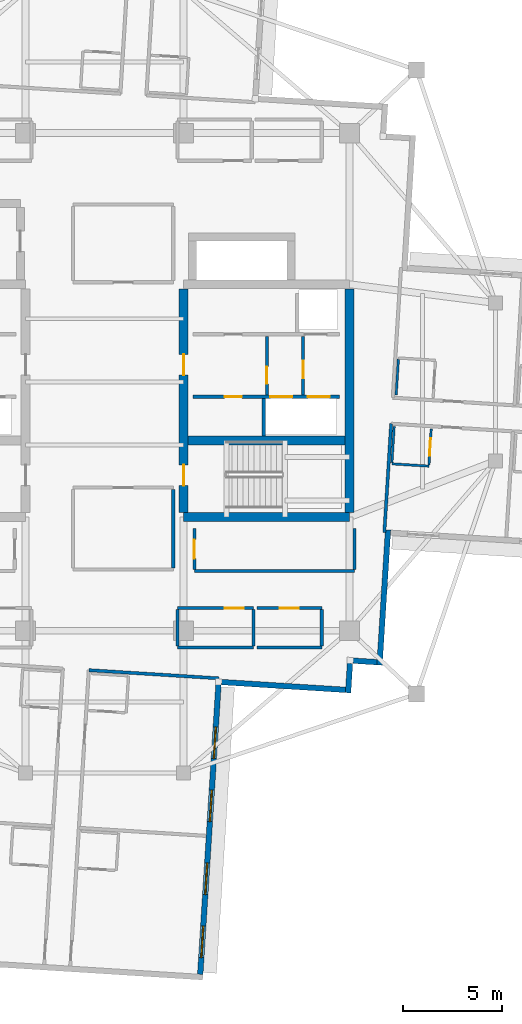
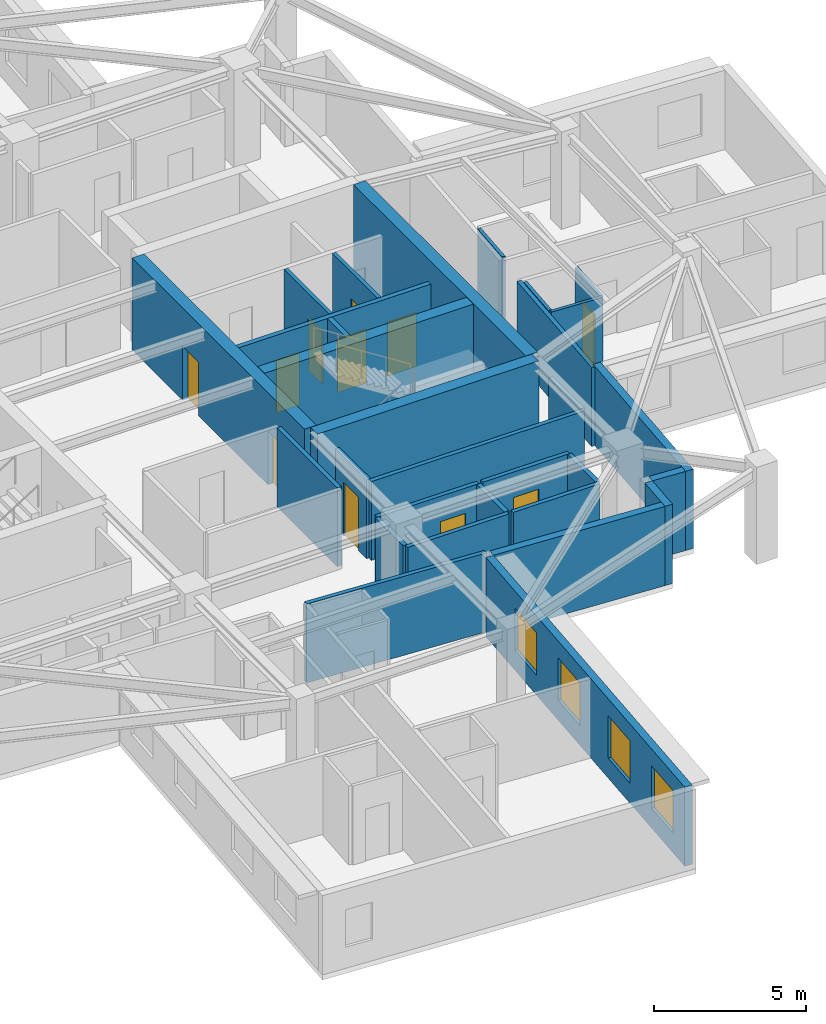
# One storey, part 5 of 12: 30 walls, 11 doors, 4 windows, 15 openings.
"""IFC4 building model written with IfcOpenShell, lengths in metres."""

from ifc_helpers import new_model, si_unit, direction, frame, frame_2d, origin, place, context, subcontext, project, spatial, rectangle, extrude, material, layer, layer_set, type_object, element, fill, save


model = new_model("IFC4")

# Units and contexts
model_context = context("Model", 3, precision=1e-05, world=origin(), true_north=direction((0.0, 1.0)))
body_context = subcontext(model_context, "Body", "Model", "MODEL_VIEW")
ifc_project = project(units=[si_unit("LENGTHUNIT", "METRE"), si_unit("AREAUNIT", "SQUARE_METRE"), si_unit("VOLUMEUNIT", "CUBIC_METRE"), si_unit("PLANEANGLEUNIT", "RADIAN"), si_unit("MASSUNIT", "GRAM", prefix="KILO")], contexts=[model_context])

# Site, building, storey
site_placement = place(None, origin())
site = spatial("IfcSite", under=ifc_project, at=site_placement, CompositionType="ELEMENT")
building_placement = place(site_placement, origin())
building = spatial("IfcBuilding", under=site, at=building_placement, Name="Qingluan Cross Belvedere", CompositionType="ELEMENT")
storey_placement = place(building_placement, frame((0.0, 0.0, 249.89990234375)))
storey = spatial("IfcBuildingStorey", under=building, at=storey_placement, Name="L62", CompositionType="ELEMENT", Elevation=249.89990234375)

# Wall
ifc_material_1 = material(Name="Concrete C50", Category="concrete")
ifc_layer_1 = layer(ifc_material_1, 0.449951171875, Name="CoreShearWall_450")
ifc_layer_set_1 = layer_set([ifc_layer_1], Name="Concrete C50")
wall_type_1 = type_object("IfcWallType", Name="CoreShearWall_450", PredefinedType="SHEAR", material=ifc_layer_set_1)
wall_1_placement = place(storey_placement, frame((4.0, -6.85009765625, 0.0), z_axis=(0.0, 0.0, 1.0), x_axis=(1.0, 0.0, 0.0)))
element("IfcWall", 1, at=wall_1_placement, inside=storey, type_object=wall_type_1, Name="Split core E shear wall L62-S", PredefinedType="SHEAR", context=body_context, shape_type="SweptSolid", body=[
    extrude(rectangle(XDim=8.39990234375, YDim=0.449951171875, at=frame_2d((4.199951171875, 0.0))), origin(), (0.0, 0.0, 1.0), 3.7001953125),
])

# Wall, openings, doors
wall_2_placement = place(storey_placement, frame((4.0, -6.6201171875, 0.0), z_axis=(0.0, 0.0, 1.0), x_axis=(0.0, 1.0, 0.0)))
wall_2 = element("IfcWall", 2, at=wall_2_placement, inside=storey, type_object=wall_type_1, Name="Split core E shear wall L62-W", PredefinedType="SHEAR", context=body_context, shape_type="SweptSolid", body=[
    extrude(rectangle(XDim=11.340087890625, YDim=0.449951171875, at=frame_2d((5.669921875, 0.0))), origin(), (0.0, 0.0, 1.0), 3.7001953125),
])
opening_1_placement = place(wall_2_placement, frame((1.3701171875, 0.0, 0.0)))
opening_1 = element("IfcOpeningElement", 3, at=opening_1_placement, cuts=wall_2, Name="Opening FD-B11", PredefinedType="OPENING", context=body_context, shape_type="SweptSolid", body=[
    extrude(rectangle(XDim=1.050048828125, YDim=2.14990234375, at=frame_2d((0.52490234375, 1.074951171875))), frame((0.0, 0.23486328125, 0.0), z_axis=(0.0, -1.0, 0.0), x_axis=(1.0, 0.0, 0.0)), (0.0, 0.0, 1.0), 0.469970703125),
])
opening_2_placement = place(wall_2_placement, frame((6.969970703125, 0.0, 0.0)))
opening_2 = element("IfcOpeningElement", 4, at=opening_2_placement, cuts=wall_2, Name="Opening FD-B11", PredefinedType="OPENING", context=body_context, shape_type="SweptSolid", body=[
    extrude(rectangle(XDim=1.050048828125, YDim=2.14990234375, at=frame_2d((0.52490234375, 1.074951171875))), frame((0.0, 0.23486328125, 0.0), z_axis=(0.0, -1.0, 0.0), x_axis=(1.0, 0.0, 0.0)), (0.0, 0.0, 1.0), 0.469970703125),
])
ifc_material_2 = material(Name="Steel Class B smoke-seal fire door", Category="steel")
door_type_1 = type_object("IfcDoorType", Name="StairLobbyFireDoor_FDB", OperationType="NOTDEFINED", PredefinedType="DOOR", material=ifc_material_2)
door_1_placement = place(opening_1_placement, origin())
door_1 = element("IfcDoor", 5, at=door_1_placement, inside=storey, type_object=door_type_1, Name="Smoke-proof stair ST2 fire door L62", OperationType="SINGLE_SWING_LEFT", OverallHeight=2.14990234375, OverallWidth=1.050048828125, PredefinedType="DOOR", context=body_context, shape_type="SweptSolid", body=[
    extrude(rectangle(XDim=1.050048828125, YDim=2.14990234375, at=frame_2d((0.52490234375, 1.074951171875))), frame((0.0, 0.02490234375, 0.0), z_axis=(0.0, -1.0, 0.0), x_axis=(1.0, 0.0, 0.0)), (0.0, 0.0, 1.0), 0.050048828125),
])
fill(opening_1, door_1)
door_2_placement = place(opening_2_placement, origin())
door_2 = element("IfcDoor", 6, at=door_2_placement, inside=storey, type_object=door_type_1, Name="Firefighting lobby East fire door L62", OperationType="SINGLE_SWING_LEFT", OverallHeight=2.14990234375, OverallWidth=1.050048828125, PredefinedType="DOOR", context=body_context, shape_type="SweptSolid", body=[
    extrude(rectangle(XDim=1.050048828125, YDim=2.14990234375, at=frame_2d((0.52490234375, 1.074951171875))), frame((0.0, 0.02490234375, 0.0), z_axis=(0.0, -1.0, 0.0), x_axis=(1.0, 0.0, 0.0)), (0.0, 0.0, 1.0), 0.050048828125),
])
fill(opening_2, door_2)

# Walls
wall_3_placement = place(storey_placement, frame((12.39990234375, -6.6201171875, 0.0), z_axis=(0.0, 0.0, 1.0), x_axis=(0.0, 1.0, 0.0)))
element("IfcWall", 7, at=wall_3_placement, inside=storey, type_object=wall_type_1, Name="Split core E shear wall L62-E", PredefinedType="SHEAR", context=body_context, shape_type="SweptSolid", body=[
    extrude(rectangle(XDim=11.340087890625, YDim=0.449951171875, at=frame_2d((5.669921875, 0.0))), origin(), (0.0, 0.0, 1.0), 3.7001953125),
])
wall_4_placement = place(storey_placement, frame((4.22998046875, -2.9599609375, 0.0), z_axis=(0.0, 0.0, 1.0), x_axis=(1.0, 0.0, 0.0)))
element("IfcWall", 8, at=wall_4_placement, inside=storey, type_object=wall_type_1, Name="Split core E shear wall L62-M", PredefinedType="SHEAR", context=body_context, shape_type="SweptSolid", body=[
    extrude(rectangle(XDim=7.93994140625, YDim=0.449951171875, at=frame_2d((3.969970703125, 0.0))), origin(), (0.0, 0.0, 1.0), 3.7001953125),
])

# Wall, opening, door
ifc_material_3 = material(Name="Gypsum plasterboard on steel stud acoustic partition", Category="steel")
ifc_layer_2 = layer(ifc_material_3, 0.159912109375, Name="CorridorPartition_160")
ifc_layer_set_2 = layer_set([ifc_layer_2], Name="Gypsum plasterboard on steel stud acoustic partition")
wall_type_2 = type_object("IfcWallType", Name="CorridorPartition_160", PredefinedType="PARTITIONING", material=ifc_layer_set_2)
wall_5_placement = place(storey_placement, frame((10.050048828125, -0.652099609375, 0.0), z_axis=(0.0, 0.0, 1.0), x_axis=(0.0, 1.0, 0.0)))
wall_5 = element("IfcWall", 9, at=wall_5_placement, inside=storey, type_object=wall_type_2, Name="Partition L62:ev", PredefinedType="PARTITIONING", context=body_context, shape_type="SweptSolid", body=[
    extrude(rectangle(XDim=2.962158203125, YDim=0.139892578125, at=frame_2d((1.48095703125, 0.0))), origin(), (0.0, 0.0, 1.0), 3.170166015625),
])
opening_3_placement = place(wall_5_placement, frame((0.85009765625, 0.0, 0.0)))
opening_3 = element("IfcOpeningElement", 10, at=opening_3_placement, cuts=wall_5, Name="Opening FD-B10", PredefinedType="OPENING", context=body_context, shape_type="SweptSolid", body=[
    extrude(rectangle(XDim=0.8798828125, YDim=2.10009765625, at=frame_2d((0.43994140625, 1.050048828125))), frame((0.0, 0.079833984375, 0.0), z_axis=(0.0, -1.0, 0.0), x_axis=(1.0, 0.0, 0.0)), (0.0, 0.0, 1.0), 0.159912109375),
])
ifc_material_4 = material(Name="Steel Class B service fire door", Category="steel")
door_type_2 = type_object("IfcDoorType", Name="RiserServiceFireDoor_FDB", OperationType="NOTDEFINED", PredefinedType="DOOR", material=ifc_material_4)
door_3_placement = place(opening_3_placement, origin())
door_3 = element("IfcDoor", 11, at=door_3_placement, inside=storey, type_object=door_type_2, Name="Service closet inner door L62", OperationType="SINGLE_SWING_RIGHT", OverallHeight=2.10009765625, OverallWidth=0.8798828125, PredefinedType="DOOR", context=body_context, shape_type="SweptSolid", body=[
    extrude(rectangle(XDim=0.8798828125, YDim=2.10009765625, at=frame_2d((0.43994140625, 1.050048828125))), frame((0.0, 0.02490234375, 0.0), z_axis=(0.0, -1.0, 0.0), x_axis=(1.0, 0.0, 0.0)), (0.0, 0.0, 1.0), 0.050048828125),
])
fill(opening_3, door_3)

# Wall
wall_6_placement = place(storey_placement, frame((3.699951171875, -13.449951171875, 0.0), z_axis=(0.0, 0.0, 1.0), x_axis=(1.0, 0.0, 0.0)))
element("IfcWall", 12, at=wall_6_placement, inside=storey, type_object=wall_type_2, Name="Partition L62:q_se1:S", PredefinedType="PARTITIONING", context=body_context, shape_type="SweptSolid", body=[
    extrude(rectangle(XDim=3.85009765625, YDim=0.159912109375, at=frame_2d((1.925048828125, 0.0))), origin(), (0.0, 0.0, 1.0), 3.170166015625),
])

# Wall, opening, door
wall_7_placement = place(storey_placement, frame((3.699951171875, -11.449951171875, 0.0), z_axis=(0.0, 0.0, 1.0), x_axis=(1.0, 0.0, 0.0)))
wall_7 = element("IfcWall", 13, at=wall_7_placement, inside=storey, type_object=wall_type_2, Name="Partition L62:q_se1:N", PredefinedType="PARTITIONING", context=body_context, shape_type="SweptSolid", body=[
    extrude(rectangle(XDim=3.85009765625, YDim=0.159912109375, at=frame_2d((1.925048828125, 0.0))), origin(), (0.0, 0.0, 1.0), 3.170166015625),
])
opening_4_placement = place(wall_7_placement, frame((2.39501953125, 0.0, 0.0)))
opening_4 = element("IfcOpeningElement", 14, at=opening_4_placement, cuts=wall_7, Name="Opening GD-10", PredefinedType="OPENING", context=body_context, shape_type="SweptSolid", body=[
    extrude(rectangle(XDim=0.9599609375, YDim=2.14990234375, at=frame_2d((0.47998046875, 1.074951171875))), frame((0.0, 0.08984375, 0.0), z_axis=(0.0, -1.0, 0.0), x_axis=(1.0, 0.0, 0.0)), (0.0, 0.0, 1.0), 0.179931640625),
])
ifc_material_5 = material(Name="Timber oak fire-rated acoustic guestroom door", Category="wood")
door_type_3 = type_object("IfcDoorType", Name="GuestEntryDoor_FD60", OperationType="NOTDEFINED", PredefinedType="DOOR", material=ifc_material_5)
door_4_placement = place(opening_4_placement, origin())
door_4 = element("IfcDoor", 15, at=door_4_placement, inside=storey, type_object=door_type_3, Name="Guest relations office L62 door", OperationType="SINGLE_SWING_RIGHT", OverallHeight=2.14990234375, OverallWidth=0.9599609375, PredefinedType="DOOR", context=body_context, shape_type="SweptSolid", body=[
    extrude(rectangle(XDim=0.9599609375, YDim=2.14990234375, at=frame_2d((0.47998046875, 1.074951171875))), frame((0.0, 0.02490234375, 0.0), z_axis=(0.0, -1.0, 0.0), x_axis=(1.0, 0.0, 0.0)), (0.0, 0.0, 1.0), 0.050048828125),
])
fill(opening_4, door_4)

# Walls
for number, where, z_axis, x_axis, name in (
    (16, (3.699951171875, -13.364990234375, 0.0), (0.0, 0.0, 1.0), (0.0, 1.0, 0.0), "Partition L62:q_se1:W"),
    (17, (7.550048828125, -13.364990234375, 0.0), (0.0, 0.0, 1.0), (0.0, 1.0, 0.0), "Partition L62:q_se1:E"),
):
    element("IfcWall", number, at=place(storey_placement, frame(where, z_axis=z_axis, x_axis=x_axis)), inside=storey, type_object=wall_type_2, Name=name, PredefinedType="PARTITIONING", context=body_context, shape_type="SweptSolid", body=[
        extrude(rectangle(XDim=1.830078125, YDim=0.159912109375, at=frame_2d((0.9150390625, 0.0))), origin(), (0.0, 0.0, 1.0), 3.170166015625),
    ])
wall_8_placement = place(storey_placement, frame((7.7099609375, -13.449951171875, 0.0), z_axis=(0.0, 0.0, 1.0), x_axis=(1.0, 0.0, 0.0)))
element("IfcWall", 18, at=wall_8_placement, inside=storey, type_object=wall_type_2, Name="Partition L62:q_se2:S", PredefinedType="PARTITIONING", context=body_context, shape_type="SweptSolid", body=[
    extrude(rectangle(XDim=3.2900390625, YDim=0.159912109375, at=frame_2d((1.64501953125, 0.0))), origin(), (0.0, 0.0, 1.0), 3.170166015625),
])

# Wall, opening, door
wall_9_placement = place(storey_placement, frame((7.7099609375, -11.449951171875, 0.0), z_axis=(0.0, 0.0, 1.0), x_axis=(1.0, 0.0, 0.0)))
wall_9 = element("IfcWall", 19, at=wall_9_placement, inside=storey, type_object=wall_type_2, Name="Partition L62:q_se2:N", PredefinedType="PARTITIONING", context=body_context, shape_type="SweptSolid", body=[
    extrude(rectangle(XDim=3.2900390625, YDim=0.159912109375, at=frame_2d((1.64501953125, 0.0))), origin(), (0.0, 0.0, 1.0), 3.170166015625),
])
opening_5_placement = place(wall_9_placement, frame((1.1650390625, 0.0, 0.0)))
opening_5 = element("IfcOpeningElement", 20, at=opening_5_placement, cuts=wall_9, Name="Opening GD-10", PredefinedType="OPENING", context=body_context, shape_type="SweptSolid", body=[
    extrude(rectangle(XDim=0.9599609375, YDim=2.14990234375, at=frame_2d((0.47998046875, 1.074951171875))), frame((0.0, 0.08984375, 0.0), z_axis=(0.0, -1.0, 0.0), x_axis=(1.0, 0.0, 0.0)), (0.0, 0.0, 1.0), 0.179931640625),
])
door_5_placement = place(opening_5_placement, origin())
door_5 = element("IfcDoor", 21, at=door_5_placement, inside=storey, type_object=door_type_3, Name="Southeast study room L62 door", OperationType="SINGLE_SWING_LEFT", OverallHeight=2.14990234375, OverallWidth=0.9599609375, PredefinedType="DOOR", context=body_context, shape_type="SweptSolid", body=[
    extrude(rectangle(XDim=0.9599609375, YDim=2.14990234375, at=frame_2d((0.47998046875, 1.074951171875))), frame((0.0, 0.02490234375, 0.0), z_axis=(0.0, -1.0, 0.0), x_axis=(1.0, 0.0, 0.0)), (0.0, 0.0, 1.0), 0.050048828125),
])
fill(opening_5, door_5)

# Walls
wall_10_placement = place(storey_placement, frame((11.0, -13.364990234375, 0.0), z_axis=(0.0, 0.0, 1.0), x_axis=(0.0, 1.0, 0.0)))
element("IfcWall", 22, at=wall_10_placement, inside=storey, type_object=wall_type_2, Name="Partition L62:q_se2:E", PredefinedType="PARTITIONING", context=body_context, shape_type="SweptSolid", body=[
    extrude(rectangle(XDim=1.830078125, YDim=0.159912109375, at=frame_2d((0.9150390625, 0.0))), origin(), (0.0, 0.0, 1.0), 3.170166015625),
])
wall_11_placement = place(storey_placement, frame((3.47998046875, -9.4150390625, 0.0), z_axis=(0.0, 0.0, 1.0), x_axis=(0.0, 1.0, 0.0)))
element("IfcWall", 23, at=wall_11_placement, inside=storey, type_object=wall_type_2, Name="Partition L62:sky_south_alcove:E", PredefinedType="PARTITIONING", context=body_context, shape_type="SweptSolid", body=[
    extrude(rectangle(XDim=3.97998046875, YDim=0.159912109375, at=frame_2d((1.989990234375, 0.0))), origin(), (0.0, 0.0, 1.0), 3.170166015625),
])
wall_12_placement = place(storey_placement, frame((4.550048828125, -9.580078125, 0.0), z_axis=(0.0, 0.0, 1.0), x_axis=(1.0, 0.0, 0.0)))
element("IfcWall", 24, at=wall_12_placement, inside=storey, type_object=wall_type_2, Name="Partition L62:rec_st4:S", PredefinedType="PARTITIONING", context=body_context, shape_type="SweptSolid", body=[
    extrude(rectangle(XDim=8.099853515625, YDim=0.159912109375, at=frame_2d((4.0498046875, 0.0))), origin(), (0.0, 0.0, 1.0), 3.170166015625),
])

# Wall, opening, door
wall_13_placement = place(storey_placement, frame((4.550048828125, -9.4951171875, 0.0), z_axis=(0.0, 0.0, 1.0), x_axis=(0.0, 1.0, 0.0)))
wall_13 = element("IfcWall", 25, at=wall_13_placement, inside=storey, type_object=wall_type_2, Name="Partition L62:rec_st4:W", PredefinedType="PARTITIONING", context=body_context, shape_type="SweptSolid", body=[
    extrude(rectangle(XDim=2.06005859375, YDim=0.159912109375, at=frame_2d((1.030029296875, 0.0))), origin(), (0.0, 0.0, 1.0), 3.170166015625),
])
opening_6_placement = place(wall_13_placement, frame((0.550048828125, 0.0, 0.0)))
opening_6 = element("IfcOpeningElement", 26, at=opening_6_placement, cuts=wall_13, Name="Opening GD-10", PredefinedType="OPENING", context=body_context, shape_type="SweptSolid", body=[
    extrude(rectangle(XDim=0.9599609375, YDim=2.14990234375, at=frame_2d((0.47998046875, 1.074951171875))), frame((0.0, 0.08984375, 0.0), z_axis=(0.0, -1.0, 0.0), x_axis=(1.0, 0.0, 0.0)), (0.0, 0.0, 1.0), 0.179931640625),
])
door_6_placement = place(opening_6_placement, origin())
door_6 = element("IfcDoor", 27, at=door_6_placement, inside=storey, type_object=door_type_3, Name="Southeast club library room L62 door", OperationType="SINGLE_SWING_LEFT", OverallHeight=2.14990234375, OverallWidth=0.9599609375, PredefinedType="DOOR", context=body_context, shape_type="SweptSolid", body=[
    extrude(rectangle(XDim=0.9599609375, YDim=2.14990234375, at=frame_2d((0.47998046875, 1.074951171875))), frame((0.0, 0.02490234375, 0.0), z_axis=(0.0, -1.0, 0.0), x_axis=(1.0, 0.0, 0.0)), (0.0, 0.0, 1.0), 0.050048828125),
])
fill(opening_6, door_6)

# Walls
wall_14_placement = place(storey_placement, frame((12.64990234375, -9.4951171875, 0.0), z_axis=(0.0, 0.0, 1.0), x_axis=(0.0, 1.0, 0.0)))
element("IfcWall", 28, at=wall_14_placement, inside=storey, type_object=wall_type_2, Name="Partition L62:rec_st4:E", PredefinedType="PARTITIONING", context=body_context, shape_type="SweptSolid", body=[
    extrude(rectangle(XDim=2.06005859375, YDim=0.159912109375, at=frame_2d((1.030029296875, 0.0))), origin(), (0.0, 0.0, 1.0), 3.170166015625),
])
wall_15_placement = place(storey_placement, frame((14.515869140625, -2.115478515625, 0.0), z_axis=(0.0, 0.0, 1.0), x_axis=(-0.062802308829, -0.998025986639, 0.0)))
element("IfcWall", 29, at=wall_15_placement, inside=storey, type_object=wall_type_2, Name="Partition L62:E:s1", PredefinedType="PARTITIONING", context=body_context, shape_type="SweptSolid", body=[
    extrude(rectangle(XDim=5.520263671875, YDim=0.159912109375, at=frame_2d((2.76025390625, 0.0))), origin(), (0.0, 0.0, 1.0), 3.170166015625),
])
wall_16_placement = place(storey_placement, frame((-0.798095703125, -14.5986328125, 0.0), z_axis=(0.0, 0.0, 1.0), x_axis=(0.998025424787, -0.06281123689, 0.0)))
element("IfcWall", 30, at=wall_16_placement, inside=storey, type_object=wall_type_2, Name="Partition L62:S:s0", PredefinedType="PARTITIONING", context=body_context, shape_type="SweptSolid", body=[
    extrude(rectangle(XDim=6.599853515625, YDim=0.159912109375, at=frame_2d((3.2998046875, 0.0))), origin(), (0.0, 0.0, 1.0), 3.170166015625),
])
ifc_material_6 = material(Name="Moisture-resistant gypsum board lining")
ifc_layer_3 = layer(ifc_material_6, 0.1201171875, Name="EnsuiteWetPartition_120")
ifc_layer_set_3 = layer_set([ifc_layer_3], Name="Moisture-resistant gypsum board lining")
wall_type_3 = type_object("IfcWallType", Name="EnsuiteWetPartition_120", PredefinedType="PARTITIONING", material=ifc_layer_set_3)
wall_17_placement = place(storey_placement, frame((14.76708984375, -0.668701171875, 0.0), z_axis=(0.0, 0.0, 1.0), x_axis=(0.062770741989, 0.998027972529, 0.0)))
element("IfcWall", 31, at=wall_17_placement, inside=storey, type_object=wall_type_3, Name="Partition L62:E:bw0_0", PredefinedType="PARTITIONING", context=body_context, shape_type="SweptSolid", body=[
    extrude(rectangle(XDim=1.8203125, YDim=0.1201171875, at=frame_2d((0.91015625, 0.0))), origin(), (0.0, 0.0, 1.0), 3.170166015625),
])

# Wall, opening, door
wall_18_placement = place(storey_placement, frame((16.4287109375, -4.199951171875, 0.0), z_axis=(0.0, 0.0, 1.0), x_axis=(0.062770741989, 0.998027972529, 0.0)))
wall_18 = element("IfcWall", 32, at=wall_18_placement, inside=storey, type_object=wall_type_3, Name="Partition L62:E:bs1_0", PredefinedType="PARTITIONING", context=body_context, shape_type="SweptSolid", body=[
    extrude(rectangle(XDim=1.8203125, YDim=0.1201171875, at=frame_2d((0.91015625, 0.0))), origin(), (0.0, 0.0, 1.0), 3.170166015625),
])
opening_7_placement = place(wall_18_placement, frame((0.469970703125, 0.0, 0.0)))
opening_7 = element("IfcOpeningElement", 33, at=opening_7_placement, cuts=wall_18, Name="Opening BD-09", PredefinedType="OPENING", context=body_context, shape_type="SweptSolid", body=[
    extrude(rectangle(XDim=0.8798828125, YDim=2.10009765625, at=frame_2d((0.43994140625, 1.050048828125))), frame((0.0, 0.070068359375, 0.0), z_axis=(0.0, -1.0, 0.0), x_axis=(1.0, 0.0, 0.0)), (0.0, 0.0, 1.0), 0.14013671875),
])
ifc_material_7 = material(Name="Moisture-sealed timber en-suite door", Category="wood")
door_type_4 = type_object("IfcDoorType", Name="BathroomDoor_880", OperationType="NOTDEFINED", PredefinedType="DOOR", material=ifc_material_7)
door_7_placement = place(opening_7_placement, origin())
door_7 = element("IfcDoor", 34, at=door_7_placement, inside=storey, type_object=door_type_4, Name="Bathroom door 6203", OperationType="SINGLE_SWING_RIGHT", OverallHeight=2.10009765625, OverallWidth=0.8798828125, PredefinedType="DOOR", context=body_context, shape_type="SweptSolid", body=[
    extrude(rectangle(XDim=0.8798828125, YDim=2.10009765625, at=frame_2d((0.43994140625, 1.050048828125))), frame((0.0, 0.02490234375, 0.0), z_axis=(0.0, -1.0, 0.0), x_axis=(1.0, 0.0, 0.0)), (0.0, 0.0, 1.0), 0.050048828125),
])
fill(opening_7, door_7)

# Walls
wall_19_placement = place(storey_placement, frame((14.552490234375, -4.081787109375, 0.0), z_axis=(0.0, 0.0, 1.0), x_axis=(0.062779145668, 0.998027443946, 0.0)))
element("IfcWall", 35, at=wall_19_placement, inside=storey, type_object=wall_type_3, Name="Partition L62:E:bw1_0", PredefinedType="PARTITIONING", context=body_context, shape_type="SweptSolid", body=[
    extrude(rectangle(XDim=1.820068359375, YDim=0.1201171875, at=frame_2d((0.91015625, 0.0))), origin(), (0.0, 0.0, 1.0), 3.170166015625),
])
wall_20_placement = place(storey_placement, frame((14.54833984375, -4.146728515625, 0.0), z_axis=(0.0, 0.0, 1.0), x_axis=(0.998030789148, -0.062725942896, 0.0)))
element("IfcWall", 36, at=wall_20_placement, inside=storey, type_object=wall_type_3, Name="Partition L62:E:bc1_0", PredefinedType="PARTITIONING", context=body_context, shape_type="SweptSolid", body=[
    extrude(rectangle(XDim=1.8798828125, YDim=0.1201171875, at=frame_2d((0.93994140625, 0.0))), origin(), (0.0, 0.0, 1.0), 3.170166015625),
])

# Wall, openings, windows
ifc_material_8 = material(Name="Precast concrete C45", Category="concrete")
ifc_layer_4 = layer(ifc_material_8, 0.280029296875, Name="PrecastFacadeWall_280")
ifc_layer_set_4 = layer_set([ifc_layer_4], Name="Precast concrete C45")
wall_type_4 = type_object("IfcWallType", Name="PrecastFacadeWall_280", PredefinedType="STANDARD", material=ifc_layer_set_4)
wall_21_placement = place(storey_placement, frame((4.845703125, -30.00341796875, 0.0), z_axis=(0.0, 0.0, 1.0), x_axis=(0.062779465852, 0.998027423805, 0.0)))
wall_21 = element("IfcWall", 37, at=wall_21_placement, inside=storey, type_object=wall_type_4, Name="Facade wall L62-SB", PredefinedType="STANDARD", context=body_context, shape_type="SweptSolid", body=[
    extrude(rectangle(XDim=14.699951171875, YDim=0.280029296875, at=frame_2d((7.35009765625, 0.0))), origin(), (0.0, 0.0, 1.0), 3.18017578125),
])
opening_8_placement = place(wall_21_placement, frame((0.85009765625, 0.0, 0.800048828125)))
opening_8 = element("IfcOpeningElement", 38, at=opening_8_placement, cuts=wall_21, Name="Opening W-04", PredefinedType="OPENING", context=body_context, shape_type="SweptSolid", body=[
    extrude(rectangle(XDim=1.60009765625, YDim=1.699951171875, at=frame_2d((0.800048828125, 0.85009765625))), frame((0.0, 0.14990234375, 0.0), z_axis=(0.0, -1.0, 0.0), x_axis=(1.0, 0.0, 0.0)), (0.0, 0.0, 1.0), 0.300048828125),
])
opening_9_placement = place(wall_21_placement, frame((4.050048828125, 0.0, 0.800048828125)))
opening_9 = element("IfcOpeningElement", 39, at=opening_9_placement, cuts=wall_21, Name="Opening W-04", PredefinedType="OPENING", context=body_context, shape_type="SweptSolid", body=[
    extrude(rectangle(XDim=1.60009765625, YDim=1.699951171875, at=frame_2d((0.800048828125, 0.85009765625))), frame((0.0, 0.14990234375, 0.0), z_axis=(0.0, -1.0, 0.0), x_axis=(1.0, 0.0, 0.0)), (0.0, 0.0, 1.0), 0.300048828125),
])
opening_10_placement = place(wall_21_placement, frame((7.75, 0.0, 0.800048828125)))
opening_10 = element("IfcOpeningElement", 40, at=opening_10_placement, cuts=wall_21, Name="Opening W-04", PredefinedType="OPENING", context=body_context, shape_type="SweptSolid", body=[
    extrude(rectangle(XDim=1.60009765625, YDim=1.699951171875, at=frame_2d((0.800048828125, 0.85009765625))), frame((0.0, 0.14990234375, 0.0), z_axis=(0.0, -1.0, 0.0), x_axis=(1.0, 0.0, 0.0)), (0.0, 0.0, 1.0), 0.300048828125),
])
opening_11_placement = place(wall_21_placement, frame((10.949951171875, 0.0, 0.800048828125)))
opening_11 = element("IfcOpeningElement", 41, at=opening_11_placement, cuts=wall_21, Name="Opening W-04", PredefinedType="OPENING", context=body_context, shape_type="SweptSolid", body=[
    extrude(rectangle(XDim=1.60009765625, YDim=1.699951171875, at=frame_2d((0.800048828125, 0.85009765625))), frame((0.0, 0.14990234375, 0.0), z_axis=(0.0, -1.0, 0.0), x_axis=(1.0, 0.0, 0.0)), (0.0, 0.0, 1.0), 0.300048828125),
])
ifc_material_9 = material(Name="Thermally broken triple Low-E glass in aluminium frame", Category="aluminium")
window_type = type_object("IfcWindowType", Name="SuiteCornerWin_1600x1700", PartitioningType="SINGLE_PANEL", PredefinedType="WINDOW", material=ifc_material_9)
window_1_placement = place(opening_8_placement, origin())
window_1 = element("IfcWindow", 42, at=window_1_placement, inside=storey, type_object=window_type, Name="Ribbon window L62-SB-1", OverallHeight=1.699951171875, OverallWidth=1.60009765625, PartitioningType="SINGLE_PANEL", PredefinedType="WINDOW", context=body_context, shape_type="SweptSolid", body=[
    extrude(rectangle(XDim=1.60009765625, YDim=1.699951171875, at=frame_2d((0.800048828125, 0.85009765625))), frame((0.0, 0.030029296875, 0.0), z_axis=(0.0, -1.0, 0.0), x_axis=(1.0, 0.0, 0.0)), (0.0, 0.0, 1.0), 0.06005859375),
])
fill(opening_8, window_1)
window_2_placement = place(opening_9_placement, origin())
window_2 = element("IfcWindow", 43, at=window_2_placement, inside=storey, type_object=window_type, Name="Ribbon window L62-SB-2", OverallHeight=1.699951171875, OverallWidth=1.60009765625, PartitioningType="SINGLE_PANEL", PredefinedType="WINDOW", context=body_context, shape_type="SweptSolid", body=[
    extrude(rectangle(XDim=1.60009765625, YDim=1.699951171875, at=frame_2d((0.800048828125, 0.85009765625))), frame((0.0, 0.030029296875, 0.0), z_axis=(0.0, -1.0, 0.0), x_axis=(1.0, 0.0, 0.0)), (0.0, 0.0, 1.0), 0.06005859375),
])
fill(opening_9, window_2)
window_3_placement = place(opening_10_placement, origin())
window_3 = element("IfcWindow", 44, at=window_3_placement, inside=storey, type_object=window_type, Name="Ribbon window L62-SB-3", OverallHeight=1.699951171875, OverallWidth=1.60009765625, PartitioningType="SINGLE_PANEL", PredefinedType="WINDOW", context=body_context, shape_type="SweptSolid", body=[
    extrude(rectangle(XDim=1.60009765625, YDim=1.699951171875, at=frame_2d((0.800048828125, 0.85009765625))), frame((0.0, 0.030029296875, 0.0), z_axis=(0.0, -1.0, 0.0), x_axis=(1.0, 0.0, 0.0)), (0.0, 0.0, 1.0), 0.06005859375),
])
fill(opening_10, window_3)
window_4_placement = place(opening_11_placement, origin())
window_4 = element("IfcWindow", 45, at=window_4_placement, inside=storey, type_object=window_type, Name="Ribbon window L62-SB-4", OverallHeight=1.699951171875, OverallWidth=1.60009765625, PartitioningType="SINGLE_PANEL", PredefinedType="WINDOW", context=body_context, shape_type="SweptSolid", body=[
    extrude(rectangle(XDim=1.60009765625, YDim=1.699951171875, at=frame_2d((0.800048828125, 0.85009765625))), frame((0.0, 0.030029296875, 0.0), z_axis=(0.0, -1.0, 0.0), x_axis=(1.0, 0.0, 0.0)), (0.0, 0.0, 1.0), 0.06005859375),
])
fill(opening_11, window_4)

# Walls
wall_22_placement = place(storey_placement, frame((14.357666015625, -7.496337890625, 0.0), z_axis=(0.0, 0.0, 1.0), x_axis=(-0.062779317195, -0.998027433156, 0.0)))
element("IfcWall", 46, at=wall_22_placement, inside=storey, type_object=wall_type_4, Name="Corner wall L62-SE1", PredefinedType="STANDARD", context=body_context, shape_type="SweptSolid", body=[
    extrude(rectangle(XDim=6.85986328125, YDim=0.280029296875, at=frame_2d((3.429931640625, 0.0))), origin(), (0.0, 0.0, 1.0), 3.18017578125),
])
wall_23_placement = place(storey_placement, frame((13.7958984375, -14.1943359375, 0.0), z_axis=(0.0, 0.0, 1.0), x_axis=(-0.998023660242, 0.06283926796, 0.0)))
element("IfcWall", 47, at=wall_23_placement, inside=storey, type_object=wall_type_4, Name="Corner wall L62-SE2", PredefinedType="STANDARD", context=body_context, shape_type="SweptSolid", body=[
    extrude(rectangle(XDim=1.219970703125, YDim=0.280029296875, at=frame_2d((0.60986328125, 0.0))), origin(), (0.0, 0.0, 1.0), 3.18017578125),
])
wall_24_placement = place(storey_placement, frame((12.429931640625, -14.24853515625, 0.0), z_axis=(0.0, 0.0, 1.0), x_axis=(-0.062824119533, -0.998024613927, 0.0)))
element("IfcWall", 48, at=wall_24_placement, inside=storey, type_object=wall_type_4, Name="Corner wall L62-SE3", PredefinedType="STANDARD", context=body_context, shape_type="SweptSolid", body=[
    extrude(rectangle(XDim=1.5, YDim=0.280029296875, at=frame_2d((0.75, 0.0))), origin(), (0.0, 0.0, 1.0), 3.18017578125),
])
wall_25_placement = place(storey_placement, frame((12.20458984375, -15.59716796875, 0.0), z_axis=(0.0, 0.0, 1.0), x_axis=(-0.998024885752, 0.062819801181, 0.0)))
element("IfcWall", 49, at=wall_25_placement, inside=storey, type_object=wall_type_4, Name="Corner wall L62-SE4", PredefinedType="STANDARD", context=body_context, shape_type="SweptSolid", body=[
    extrude(rectangle(XDim=6.2998046875, YDim=0.280029296875, at=frame_2d((3.14990234375, 0.0))), origin(), (0.0, 0.0, 1.0), 3.18017578125),
])

# Wall, openings, doors
ifc_material_10 = material(Name="Concrete C40", Category="concrete")
ifc_layer_5 = layer(ifc_material_10, 0.219970703125, Name="ShaftEnclosureWall_250")
ifc_layer_set_5 = layer_set([ifc_layer_5], Name="Concrete C40")
wall_type_5 = type_object("IfcWallType", Name="ShaftEnclosureWall_250", PredefinedType="SOLIDWALL", material=ifc_layer_set_5)
wall_26_placement = place(storey_placement, frame((4.47998046875, -0.75, 0.0), z_axis=(0.0, 0.0, 1.0), x_axis=(1.0, 0.0, 0.0)))
wall_26 = element("IfcWall", 50, at=wall_26_placement, inside=storey, type_object=wall_type_5, Name="Core-E mid hoistway wall L62", PredefinedType="SOLIDWALL", context=body_context, shape_type="SweptSolid", body=[
    extrude(rectangle(XDim=7.419921875, YDim=0.179931640625, at=frame_2d((3.7099609375, 0.0))), origin(), (0.0, 0.0, 1.0), 3.170166015625),
])
opening_12_placement = place(wall_26_placement, frame((3.919921875, 0.0, 0.0)))
opening_12 = element("IfcOpeningElement", 51, at=opening_12_placement, cuts=wall_26, Name="Opening LD-11", PredefinedType="OPENING", context=body_context, shape_type="SweptSolid", body=[
    extrude(rectangle(XDim=1.10009765625, YDim=2.14990234375, at=frame_2d((0.550048828125, 1.074951171875))), frame((0.0, 0.099853515625, 0.0), z_axis=(0.0, -1.0, 0.0), x_axis=(1.0, 0.0, 0.0)), (0.0, 0.0, 1.0), 0.199951171875),
])
opening_13_placement = place(wall_26_placement, frame((5.820068359375, 0.0, 0.0)))
opening_13 = element("IfcOpeningElement", 52, at=opening_13_placement, cuts=wall_26, Name="Opening LD-11", PredefinedType="OPENING", context=body_context, shape_type="SweptSolid", body=[
    extrude(rectangle(XDim=1.10009765625, YDim=2.14990234375, at=frame_2d((0.550048828125, 1.074951171875))), frame((0.0, 0.099853515625, 0.0), z_axis=(0.0, -1.0, 0.0), x_axis=(1.0, 0.0, 0.0)), (0.0, 0.0, 1.0), 0.199951171875),
])
opening_14_placement = place(wall_26_placement, frame((1.60009765625, 0.0, 0.0)))
opening_14 = element("IfcOpeningElement", 53, at=opening_14_placement, cuts=wall_26, Name="Opening FD-B10", PredefinedType="OPENING", context=body_context, shape_type="SweptSolid", body=[
    extrude(rectangle(XDim=0.8798828125, YDim=2.10009765625, at=frame_2d((0.43994140625, 1.050048828125))), frame((0.0, 0.099853515625, 0.0), z_axis=(0.0, -1.0, 0.0), x_axis=(1.0, 0.0, 0.0)), (0.0, 0.0, 1.0), 0.199951171875),
])
ifc_material_11 = material(Name="Brushed stainless steel centre-opening lift landing door", Category="steel")
door_type_5 = type_object("IfcDoorType", Name="LiftLandingSlidingDoor_1100", OperationType="DOUBLE_DOOR_SLIDING", PredefinedType="DOOR", material=ifc_material_11)
door_8_placement = place(opening_12_placement, origin())
door_8 = element("IfcDoor", 54, at=door_8_placement, inside=storey, type_object=door_type_5, Name="Lift landing sliding door LP9 L62", OperationType="DOUBLE_DOOR_SLIDING", OverallHeight=2.14990234375, OverallWidth=1.10009765625, PredefinedType="DOOR", context=body_context, shape_type="SweptSolid", body=[
    extrude(rectangle(XDim=1.10009765625, YDim=2.14990234375, at=frame_2d((0.550048828125, 1.074951171875))), frame((0.0, 0.02490234375, 0.0), z_axis=(0.0, -1.0, 0.0), x_axis=(1.0, 0.0, 0.0)), (0.0, 0.0, 1.0), 0.050048828125),
])
fill(opening_12, door_8)
door_9_placement = place(opening_13_placement, origin())
door_9 = element("IfcDoor", 55, at=door_9_placement, inside=storey, type_object=door_type_5, Name="Lift landing sliding door LP10 L62", OperationType="DOUBLE_DOOR_SLIDING", OverallHeight=2.14990234375, OverallWidth=1.10009765625, PredefinedType="DOOR", context=body_context, shape_type="SweptSolid", body=[
    extrude(rectangle(XDim=1.10009765625, YDim=2.14990234375, at=frame_2d((0.550048828125, 1.074951171875))), frame((0.0, 0.02490234375, 0.0), z_axis=(0.0, -1.0, 0.0), x_axis=(1.0, 0.0, 0.0)), (0.0, 0.0, 1.0), 0.050048828125),
])
fill(opening_13, door_9)
door_10_placement = place(opening_14_placement, origin())
door_10 = element("IfcDoor", 56, at=door_10_placement, inside=storey, type_object=door_type_2, Name="Upper-zone linen store door L62", OperationType="SINGLE_SWING_RIGHT", OverallHeight=2.10009765625, OverallWidth=0.8798828125, PredefinedType="DOOR", context=body_context, shape_type="SweptSolid", body=[
    extrude(rectangle(XDim=0.8798828125, YDim=2.10009765625, at=frame_2d((0.43994140625, 1.050048828125))), frame((0.0, 0.02490234375, 0.0), z_axis=(0.0, -1.0, 0.0), x_axis=(1.0, 0.0, 0.0)), (0.0, 0.0, 1.0), 0.050048828125),
])
fill(opening_14, door_10)

# Wall
wall_27_placement = place(storey_placement, frame((8.06005859375, -2.72998046875, 0.0), z_axis=(0.0, 0.0, 1.0), x_axis=(0.0, 1.0, 0.0)))
element("IfcWall", 57, at=wall_27_placement, inside=storey, type_object=wall_type_5, Name="Hoistway enclosure divider LP9W L62", PredefinedType="SOLIDWALL", context=body_context, shape_type="SweptSolid", body=[
    extrude(rectangle(XDim=1.889892578125, YDim=0.179931640625, at=frame_2d((0.94482421875, 0.0))), origin(), (0.0, 0.0, 1.0), 3.170166015625),
])

# Wall, opening, door
wall_28_placement = place(storey_placement, frame((8.219970703125, -0.64990234375, 0.0), z_axis=(0.0, 0.0, 1.0), x_axis=(0.0, 1.0, 0.0)))
wall_28 = element("IfcWall", 58, at=wall_28_placement, inside=storey, type_object=wall_type_5, Name="Core-E service corridor wall L62", PredefinedType="SOLIDWALL", context=body_context, shape_type="SweptSolid", body=[
    extrude(rectangle(XDim=2.9599609375, YDim=0.139892578125, at=frame_2d((1.47998046875, 0.0))), origin(), (0.0, 0.0, 1.0), 3.170166015625),
])
opening_15_placement = place(wall_28_placement, frame((0.550048828125, 0.0, 0.0)))
opening_15 = element("IfcOpeningElement", 59, at=opening_15_placement, cuts=wall_28, Name="Opening FD-B10", PredefinedType="OPENING", context=body_context, shape_type="SweptSolid", body=[
    extrude(rectangle(XDim=0.8798828125, YDim=2.10009765625, at=frame_2d((0.43994140625, 1.050048828125))), frame((0.0, 0.079833984375, 0.0), z_axis=(0.0, -1.0, 0.0), x_axis=(1.0, 0.0, 0.0)), (0.0, 0.0, 1.0), 0.159912109375),
])
door_11_placement = place(opening_15_placement, origin())
door_11 = element("IfcDoor", 60, at=door_11_placement, inside=storey, type_object=door_type_2, Name="Core-E service room door L62", OperationType="SINGLE_SWING_RIGHT", OverallHeight=2.10009765625, OverallWidth=0.8798828125, PredefinedType="DOOR", context=body_context, shape_type="SweptSolid", body=[
    extrude(rectangle(XDim=0.8798828125, YDim=2.10009765625, at=frame_2d((0.43994140625, 1.050048828125))), frame((0.0, 0.02490234375, 0.0), z_axis=(0.0, -1.0, 0.0), x_axis=(1.0, 0.0, 0.0)), (0.0, 0.0, 1.0), 0.050048828125),
])
fill(opening_15, door_11)

save(model, "model.ifc")
